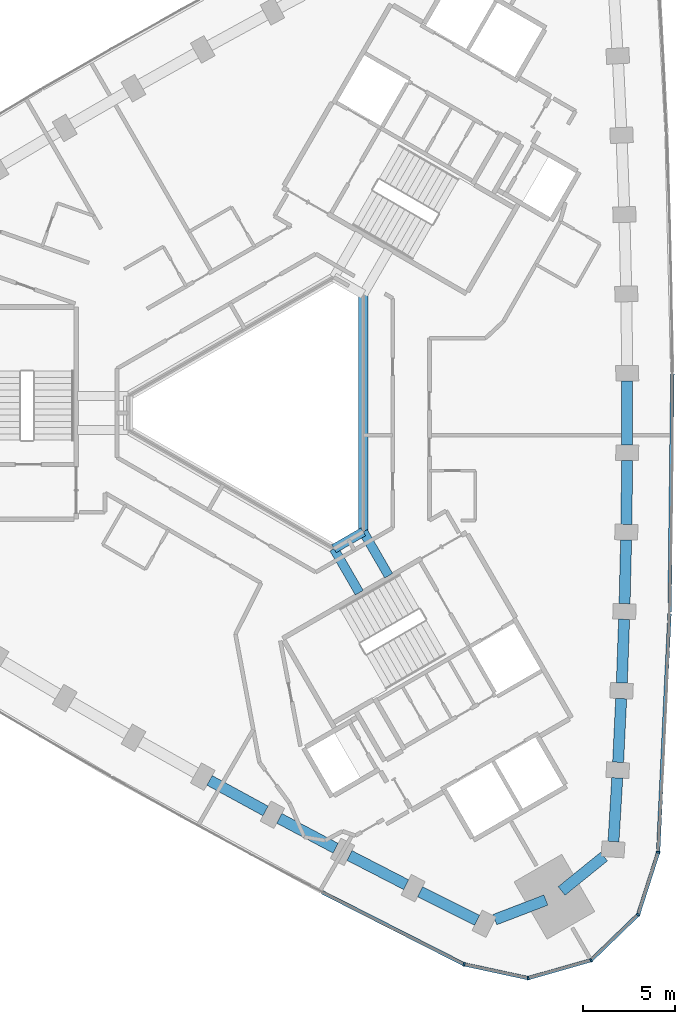
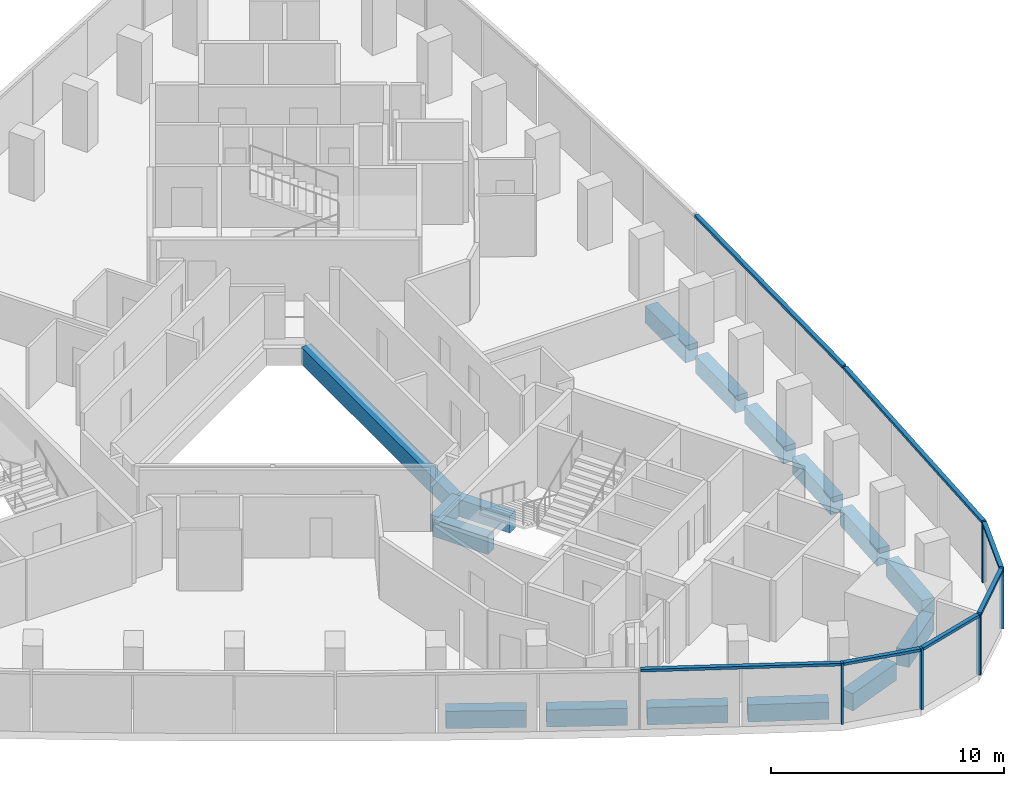
# One storey, part 3 of 12: 16 beams, 12 members, 2 elements without a shape of their own.
"""IFC4 building model written with IfcOpenShell, lengths in metres."""

from ifc_helpers import new_model, si_unit, direction, frame, origin, origin_2d, place, context, subcontext, project, spatial, rectangle, extrude, material, material_profile, profile_set, type_object, element, aggregate, save


model = new_model("IFC4")

# Units and contexts
model_context = context("Model", 3, precision=1e-05, world=origin(), true_north=direction((0.0, 1.0)))
body_context = subcontext(model_context, "Body", "Model", "MODEL_VIEW")
ifc_project = project(units=[si_unit("LENGTHUNIT", "METRE"), si_unit("AREAUNIT", "SQUARE_METRE"), si_unit("VOLUMEUNIT", "CUBIC_METRE"), si_unit("PLANEANGLEUNIT", "RADIAN"), si_unit("MASSUNIT", "GRAM", prefix="KILO")], contexts=[model_context])

# Site, building, storey
site_placement = place(None, origin())
site = spatial("IfcSite", under=ifc_project, at=site_placement, CompositionType="ELEMENT")
building_placement = place(site_placement, origin())
building = spatial("IfcBuilding", under=site, at=building_placement, Name="Tamra Quay Hotel Tower", CompositionType="ELEMENT")
storey_placement = place(building_placement, frame((0.0, 0.0, 154.0)))
storey = spatial("IfcBuildingStorey", under=building, at=storey_placement, Name="L38", CompositionType="ELEMENT", Elevation=154.0)

# Beams
ifc_material_1 = material(Name="Concrete M60", Category="concrete")
ifc_material_profile_1 = material_profile(ifc_material_1, rectangle(XDim=0.5, YDim=0.89990234375, at=origin_2d()), Name="ATRIUM EDGE BEAM RC 500x900")
ifc_profile_set_1 = profile_set([ifc_material_profile_1], Name="Concrete M60")
beam_type_1 = type_object("IfcBeamType", Name="ATRIUM EDGE BEAM RC 500x900", PredefinedType="BEAM", material=ifc_profile_set_1)
beam_1_placement = place(storey_placement, frame((4.800048828125, 6.46630859375, -0.85009765625), z_axis=(0.0, -1.0, 0.0), x_axis=(1.0, 0.0, 0.0)))
element("IfcBeam", 1, at=beam_1_placement, inside=storey, type_object=beam_type_1, Name="BM-AB0-L38", PredefinedType="BEAM", context=body_context, shape_type="SweptSolid", body=[
    extrude(rectangle(XDim=0.5, YDim=0.89990234375, at=origin_2d()), origin(), (0.0, 0.0, 1.0), 12.9326171875),
])
beam_2_placement = place(storey_placement, frame((4.800048828125, -6.46630859375, -0.85009765625), z_axis=(-0.86602275259, -0.500004591975, 0.0), x_axis=(0.500004591975, -0.86602275259, 0.0)))
element("IfcBeam", 2, at=beam_2_placement, inside=storey, type_object=beam_type_1, Name="BM-AB1-L38", PredefinedType="BEAM", context=body_context, shape_type="SweptSolid", body=[
    extrude(rectangle(XDim=0.5, YDim=0.89990234375, at=origin_2d()), origin(), (0.0, 0.0, 1.0), 1.84765625),
])
ifc_material_profile_2 = material_profile(ifc_material_1, rectangle(XDim=0.5, YDim=0.89990234375, at=origin_2d()), Name="ATRIUM TIE BEAM RC 500x900")
ifc_profile_set_2 = profile_set([ifc_material_profile_2], Name="Concrete M60")
beam_type_2 = type_object("IfcBeamType", Name="ATRIUM TIE BEAM RC 500x900", PredefinedType="BEAM", material=ifc_profile_set_2)
for number, where, z_axis, x_axis, name in (
    (3, (4.800048828125, -6.46630859375, -0.85009765625), (0.500008091576, -0.86602073206, 0.0), (0.86602073206, 0.500008091576, 0.0), "BM-TIE-1-L38"),
    (4, (3.199951171875, -7.39013671875, -0.85009765625), (0.500008091576, -0.86602073206, 0.0), (0.86602073206, 0.500008091576, 0.0), "BM-TIE-2-L38"),
):
    element("IfcBeam", number, at=place(storey_placement, frame(where, z_axis=z_axis, x_axis=x_axis)), inside=storey, type_object=beam_type_2, Name=name, PredefinedType="BEAM", context=body_context, shape_type="SweptSolid", body=[
        extrude(rectangle(XDim=0.5, YDim=0.89990234375, at=origin_2d()), origin(), (0.0, 0.0, 1.0), 2.76220703125),
    ])

# Curtain wall, member
ifc_material_2 = material(Name="Aluminium 6063 anodised dark grey", Category="aluminium")
curtain_wall_type_1 = type_object("IfcCurtainWallType", Name="CW1 CURTAIN WALL", PredefinedType="NOTDEFINED", material=ifc_material_2)
curtain_wall_1_placement = place(storey_placement, origin())
curtain_wall_1 = element("IfcCurtainWall", 5, at=curtain_wall_1_placement, inside=storey, type_object=curtain_wall_type_1, Name="CW1 east face L38", PredefinedType="NOTDEFINED")
ifc_material_profile_3 = material_profile(ifc_material_2, rectangle(XDim=0.199951171875, YDim=0.10009765625, at=origin_2d()), Name="MULLION 100X200")
ifc_profile_set_3 = profile_set([ifc_material_profile_3], Name="Aluminium 6063 anodised dark grey")
member_type_1 = type_object("IfcMemberType", Name="MULLION CW1 Z3", PredefinedType="MULLION", material=ifc_profile_set_3)
member_1_placement = place(storey_placement, frame((20.852294921875, -23.918212890625, 0.0), z_axis=(0.0, 0.0, 1.0), x_axis=(0.982883217826, -0.184229693905, 0.0)))
member_1 = element("IfcMember", 6, at=member_1_placement, type_object=member_type_1, Name="CW1 mullion L38.E.1", PredefinedType="MULLION", context=body_context, shape_type="SweptSolid", body=[
    extrude(rectangle(XDim=0.199951171875, YDim=0.10009765625, at=origin_2d()), origin(), (0.0, 0.0, 1.0), 3.199951171875),
])

# Curtain wall, members
curtain_wall_type_2 = type_object("IfcCurtainWallType", Name="CW3 CURTAIN WALL", PredefinedType="NOTDEFINED", material=ifc_material_2)
curtain_wall_2_placement = place(storey_placement, origin())
curtain_wall_2 = element("IfcCurtainWall", 7, at=curtain_wall_2_placement, inside=storey, type_object=curtain_wall_type_2, Name="CW3 south-west face L38", PredefinedType="NOTDEFINED")
ifc_material_profile_4 = material_profile(ifc_material_2, rectangle(XDim=0.199951171875, YDim=0.10009765625, at=origin_2d()), Name="MULLION 100X200")
ifc_profile_set_4 = profile_set([ifc_material_profile_4], Name="Aluminium 6063 anodised dark grey")
member_type_2 = type_object("IfcMemberType", Name="MULLION CW3 Z3", PredefinedType="MULLION", material=ifc_profile_set_4)
member_2_placement = place(storey_placement, frame((10.28759765625, -30.017578125, 0.0), z_axis=(0.0, 0.0, 1.0), x_axis=(-0.33189401386, -0.943316682543, 0.0)))
member_2 = element("IfcMember", 8, at=member_2_placement, type_object=member_type_2, Name="CW3 mullion L38.SW.12", PredefinedType="MULLION", context=body_context, shape_type="SweptSolid", body=[
    extrude(rectangle(XDim=0.199951171875, YDim=0.10009765625, at=origin_2d()), origin(), (0.0, 0.0, 1.0), 3.199951171875),
])
member_3_placement = place(storey_placement, frame((13.772216796875, -30.770263671875, 0.0), z_axis=(0.0, 0.0, 1.0), x_axis=(0.032727311619, -0.99946431806, 0.0)))
member_3 = element("IfcMember", 9, at=member_3_placement, type_object=member_type_2, Name="CW3 mullion L38.SW.13", PredefinedType="MULLION", context=body_context, shape_type="SweptSolid", body=[
    extrude(rectangle(XDim=0.199951171875, YDim=0.10009765625, at=origin_2d()), origin(), (0.0, 0.0, 1.0), 3.199951171875),
])
member_4_placement = place(storey_placement, frame((17.199951171875, -29.791259765625, 0.0), z_axis=(0.0, 0.0, 1.0), x_axis=(0.5, -0.866025403784, 0.0)))
member_4 = element("IfcMember", 10, at=member_4_placement, type_object=member_type_2, Name="CW3 mullion L38.SW.14", PredefinedType="MULLION", context=body_context, shape_type="SweptSolid", body=[
    extrude(rectangle(XDim=0.199951171875, YDim=0.10009765625, at=origin_2d()), origin(), (0.0, 0.0, 1.0), 3.199951171875),
])
member_5_placement = place(storey_placement, frame((19.76171875, -27.312255859375, 0.0), z_axis=(0.0, 0.0, 1.0), x_axis=(0.849197833806, -0.52807484229, 0.0)))
member_5 = element("IfcMember", 11, at=member_5_placement, type_object=member_type_2, Name="CW3 mullion L38.SW.15", PredefinedType="MULLION", context=body_context, shape_type="SweptSolid", body=[
    extrude(rectangle(XDim=0.199951171875, YDim=0.10009765625, at=origin_2d()), origin(), (0.0, 0.0, 1.0), 3.199951171875),
])

# Beams
ifc_material_profile_5 = material_profile(ifc_material_1, rectangle(XDim=0.60009765625, YDim=0.89990234375, at=origin_2d()), Name="SPANDREL BEAM RC 600x900")
ifc_profile_set_5 = profile_set([ifc_material_profile_5], Name="Concrete M60")
beam_type_3 = type_object("IfcBeamType", Name="SPANDREL BEAM RC 600x900", PredefinedType="SPANDREL", material=ifc_profile_set_5)
beam_3_placement = place(storey_placement, frame((18.422119140625, -23.3330078125, -0.85009765625), z_axis=(0.059620475238, 0.998221117254, 0.0), x_axis=(-0.998221117254, 0.059620475238, 0.0)))
element("IfcBeam", 12, at=beam_3_placement, inside=storey, type_object=beam_type_3, Name="BM-SP3-000-L38", PredefinedType="SPANDREL", context=body_context, shape_type="SweptSolid", body=[
    extrude(rectangle(XDim=0.60009765625, YDim=0.89990234375, at=origin_2d()), origin(), (0.0, 0.0, 1.0), 3.472412109375),
])
beam_4_placement = place(storey_placement, frame((18.6748046875, -19.017822265625, -0.85009765625), z_axis=(0.047732145575, 0.998860171535, 0.0), x_axis=(-0.998860171535, 0.047732145575, 0.0)))
element("IfcBeam", 13, at=beam_4_placement, inside=storey, type_object=beam_type_3, Name="BM-SP3-001-L38", PredefinedType="SPANDREL", context=body_context, shape_type="SweptSolid", body=[
    extrude(rectangle(XDim=0.60009765625, YDim=0.89990234375, at=origin_2d()), origin(), (0.0, 0.0, 1.0), 3.472900390625),
])
beam_5_placement = place(storey_placement, frame((18.876220703125, -14.69970703125, -0.85009765625), z_axis=(0.035786826945, 0.999359446354, 0.0), x_axis=(-0.999359446354, 0.035786826945, 0.0)))
element("IfcBeam", 14, at=beam_5_placement, inside=storey, type_object=beam_type_3, Name="BM-SP3-002-L38", PredefinedType="SPANDREL", context=body_context, shape_type="SweptSolid", body=[
    extrude(rectangle(XDim=0.60009765625, YDim=0.89990234375, at=origin_2d()), origin(), (0.0, 0.0, 1.0), 3.472412109375),
])
beam_6_placement = place(storey_placement, frame((19.02587890625, -10.3798828125, -0.85009765625), z_axis=(0.023906514803, 0.999714198434, 0.0), x_axis=(-0.999714198434, 0.023906514803, 0.0)))
element("IfcBeam", 15, at=beam_6_placement, inside=storey, type_object=beam_type_3, Name="BM-SP3-003-L38", PredefinedType="SPANDREL", context=body_context, shape_type="SweptSolid", body=[
    extrude(rectangle(XDim=0.60009765625, YDim=0.89990234375, at=origin_2d()), origin(), (0.0, 0.0, 1.0), 3.47216796875),
])
beam_7_placement = place(storey_placement, frame((19.124267578125, -6.05859375, -0.85009765625), z_axis=(0.011951617666, 0.999928576867, 0.0), x_axis=(-0.999928576867, 0.011951617666, 0.0)))
element("IfcBeam", 16, at=beam_7_placement, inside=storey, type_object=beam_type_3, Name="BM-SP3-004-L38", PredefinedType="SPANDREL", context=body_context, shape_type="SweptSolid", body=[
    extrude(rectangle(XDim=0.60009765625, YDim=0.89990234375, at=origin_2d()), origin(), (0.0, 0.0, 1.0), 3.47265625),
])
beam_8_placement = place(storey_placement, frame((19.1708984375, -1.736083984375, -0.85009765625), z_axis=(0.0, 1.0, 0.0), x_axis=(-1.0, 0.0, 0.0)))
element("IfcBeam", 17, at=beam_8_placement, inside=storey, type_object=beam_type_3, Name="BM-SP3-005-L38", PredefinedType="SPANDREL", context=body_context, shape_type="SweptSolid", body=[
    extrude(rectangle(XDim=0.60009765625, YDim=0.89990234375, at=origin_2d()), origin(), (0.0, 0.0, 1.0), 3.47216796875),
])
for number, where, z_axis, x_axis, name in (
    (18, (-3.571533203125, -20.003173828125, -0.85009765625), (0.877731617539, -0.479152593202, 0.0), (0.479152593202, 0.877731617539, 0.0), "BM-SP3-033-L38"),
    (19, (0.224609375, -22.06982421875, -0.85009765625), (0.883411391477, -0.468598243071, 0.0), (0.468598243071, 0.883411391477, 0.0), "BM-SP3-034-L38"),
):
    element("IfcBeam", number, at=place(storey_placement, frame(where, z_axis=z_axis, x_axis=x_axis)), inside=storey, type_object=beam_type_3, Name=name, PredefinedType="SPANDREL", context=body_context, shape_type="SweptSolid", body=[
        extrude(rectangle(XDim=0.60009765625, YDim=0.89990234375, at=origin_2d()), origin(), (0.0, 0.0, 1.0), 3.472412109375),
    ])
beam_9_placement = place(storey_placement, frame((4.04541015625, -24.0908203125, -0.85009765625), z_axis=(0.888919913451, -0.458062645792, 0.0), x_axis=(0.458062645792, 0.888919913451, 0.0)))
element("IfcBeam", 20, at=beam_9_placement, inside=storey, type_object=beam_type_3, Name="BM-SP3-035-L38", PredefinedType="SPANDREL", context=body_context, shape_type="SweptSolid", body=[
    extrude(rectangle(XDim=0.60009765625, YDim=0.89990234375, at=origin_2d()), origin(), (0.0, 0.0, 1.0), 3.472900390625),
])
beam_10_placement = place(storey_placement, frame((7.890380859375, -26.066650390625, -0.85009765625), z_axis=(0.894314670292, -0.447438566174, 0.0), x_axis=(0.447438566174, 0.894314670292, 0.0)))
element("IfcBeam", 21, at=beam_10_placement, inside=storey, type_object=beam_type_3, Name="BM-SP3-036-L38", PredefinedType="SPANDREL", context=body_context, shape_type="SweptSolid", body=[
    extrude(rectangle(XDim=0.60009765625, YDim=0.89990234375, at=origin_2d()), origin(), (0.0, 0.0, 1.0), 3.472412109375),
])
beam_11_placement = place(storey_placement, frame((11.960693359375, -27.586181640625, -0.85009765625), z_axis=(0.933527198951, 0.358506581278, 0.0), x_axis=(-0.358506581278, 0.933527198951, 0.0)))
element("IfcBeam", 22, at=beam_11_placement, inside=storey, type_object=beam_type_3, Name="BM-SP3-037-L38", PredefinedType="SPANDREL", context=body_context, shape_type="SweptSolid", body=[
    extrude(rectangle(XDim=0.60009765625, YDim=0.89990234375, at=origin_2d()), origin(), (0.0, 0.0, 1.0), 2.97802734375),
])
beam_12_placement = place(storey_placement, frame((15.595703125, -26.02490234375, -0.85009765625), z_axis=(0.777183767602, 0.629273701482, 0.0), x_axis=(-0.629273701482, 0.777183767602, 0.0)))
element("IfcBeam", 23, at=beam_12_placement, inside=storey, type_object=beam_type_3, Name="BM-SP3-038-L38", PredefinedType="SPANDREL", context=body_context, shape_type="SweptSolid", body=[
    extrude(rectangle(XDim=0.60009765625, YDim=0.89990234375, at=origin_2d()), origin(), (0.0, 0.0, 1.0), 2.977783203125),
])

# Member
ifc_material_profile_6 = material_profile(ifc_material_2, rectangle(XDim=0.199951171875, YDim=0.139892578125, at=origin_2d()), Name="TRANSOM 200X140")
ifc_profile_set_6 = profile_set([ifc_material_profile_6], Name="Aluminium 6063 anodised dark grey")
member_type_3 = type_object("IfcMemberType", Name="TRANSOM CW1 Z3", PredefinedType="USERDEFINED", material=ifc_profile_set_6)
member_6_placement = place(storey_placement, frame((20.855224609375, -23.868408203125, 3.1298828125), z_axis=(0.047736167082, 0.998859979353, 0.0), x_axis=(-0.998859979353, 0.047736167082, 0.0)))
member_6 = element("IfcMember", 24, at=member_6_placement, type_object=member_type_3, Name="CW1 transom L38.E.1", ObjectType="TRANSOM", PredefinedType="USERDEFINED", context=body_context, shape_type="SweptSolid", body=[
    extrude(rectangle(XDim=0.199951171875, YDim=0.139892578125, at=origin_2d()), origin(), (0.0, 0.0, 1.0), 12.95458984375),
])

member_7_placement = place(storey_placement, frame((21.476806640625, -10.828369140625, 3.1298828125), z_axis=(0.011947434123, 0.999928626862, 0.0), x_axis=(-0.999928626862, 0.011947434123, 0.0)))
member_7 = element("IfcMember", 25, at=member_7_placement, type_object=member_type_3, Name="CW1 transom L38.E.4", ObjectType="TRANSOM", PredefinedType="USERDEFINED", context=body_context, shape_type="SweptSolid", body=[
    extrude(rectangle(XDim=0.199951171875, YDim=0.139892578125, at=origin_2d()), origin(), (0.0, 0.0, 1.0), 12.95556640625),
])

aggregate(curtain_wall_1, [member_1, member_6, member_7])

ifc_material_profile_7 = material_profile(ifc_material_2, rectangle(XDim=0.199951171875, YDim=0.139892578125, at=origin_2d()), Name="TRANSOM 200X140")
ifc_profile_set_7 = profile_set([ifc_material_profile_7], Name="Aluminium 6063 anodised dark grey")
member_type_4 = type_object("IfcMemberType", Name="TRANSOM CW3 Z3", PredefinedType="USERDEFINED", material=ifc_profile_set_7)
member_8_placement = place(storey_placement, frame((2.57275390625, -26.10009765625, 3.1298828125), z_axis=(0.891611423386, -0.452801357868, 0.0), x_axis=(0.452801357868, 0.891611423386, 0.0)))
member_8 = element("IfcMember", 26, at=member_8_placement, type_object=member_type_4, Name="CW3 transom L38.SW.10", ObjectType="TRANSOM", PredefinedType="USERDEFINED", context=body_context, shape_type="SweptSolid", body=[
    extrude(rectangle(XDim=0.199951171875, YDim=0.139892578125, at=origin_2d()), origin(), (0.0, 0.0, 1.0), 8.6025390625),
])

member_9_placement = place(storey_placement, frame((10.33642578125, -30.028076171875, 3.1298828125), z_axis=(0.977466057655, -0.211092648218, 0.0), x_axis=(0.211092648218, 0.977466057655, 0.0)))
member_9 = element("IfcMember", 27, at=member_9_placement, type_object=member_type_4, Name="CW3 transom L38.SW.12", ObjectType="TRANSOM", PredefinedType="USERDEFINED", context=body_context, shape_type="SweptSolid", body=[
    extrude(rectangle(XDim=0.199951171875, YDim=0.139892578125, at=origin_2d()), origin(), (0.0, 0.0, 1.0), 3.465087890625),
])

member_10_placement = place(storey_placement, frame((13.8203125, -30.75634765625, 3.1298828125), z_axis=(0.961558507518, 0.274600139513, 0.0), x_axis=(-0.274600139513, 0.961558507518, 0.0)))
member_10 = element("IfcMember", 28, at=member_10_placement, type_object=member_type_4, Name="CW3 transom L38.SW.13", ObjectType="TRANSOM", PredefinedType="USERDEFINED", context=body_context, shape_type="SweptSolid", body=[
    extrude(rectangle(XDim=0.199951171875, YDim=0.139892578125, at=origin_2d()), origin(), (0.0, 0.0, 1.0), 3.46484375),
])

member_11_placement = place(storey_placement, frame((17.23583984375, -29.756591796875, 3.1298828125), z_axis=(0.718602141767, 0.695421427516, 0.0), x_axis=(-0.695421427516, 0.718602141767, 0.0)))
member_11 = element("IfcMember", 29, at=member_11_placement, type_object=member_type_4, Name="CW3 transom L38.SW.14", ObjectType="TRANSOM", PredefinedType="USERDEFINED", context=body_context, shape_type="SweptSolid", body=[
    extrude(rectangle(XDim=0.199951171875, YDim=0.139892578125, at=origin_2d()), origin(), (0.0, 0.0, 1.0), 3.465087890625),
])

member_12_placement = place(storey_placement, frame((19.77685546875, -27.2646484375, 3.1298828125), z_axis=(0.305936194626, 0.952052017916, 0.0), x_axis=(-0.952052017916, 0.305936194626, 0.0)))
member_12 = element("IfcMember", 30, at=member_12_placement, type_object=member_type_4, Name="CW3 transom L38.SW.15", ObjectType="TRANSOM", PredefinedType="USERDEFINED", context=body_context, shape_type="SweptSolid", body=[
    extrude(rectangle(XDim=0.199951171875, YDim=0.139892578125, at=origin_2d()), origin(), (0.0, 0.0, 1.0), 3.465087890625),
])

aggregate(curtain_wall_2, [member_8, member_2, member_9, member_3, member_10, member_4, member_11, member_5, member_12])

save(model, "model.ifc")
